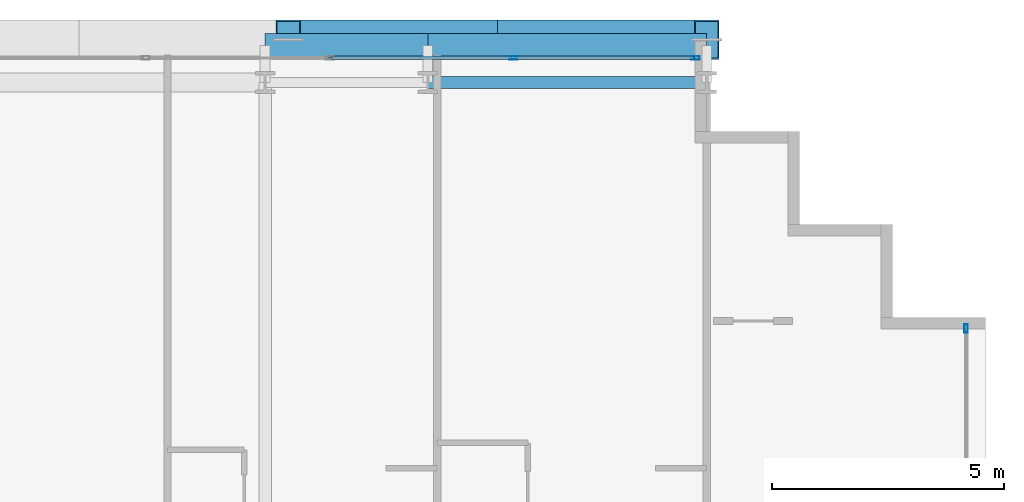
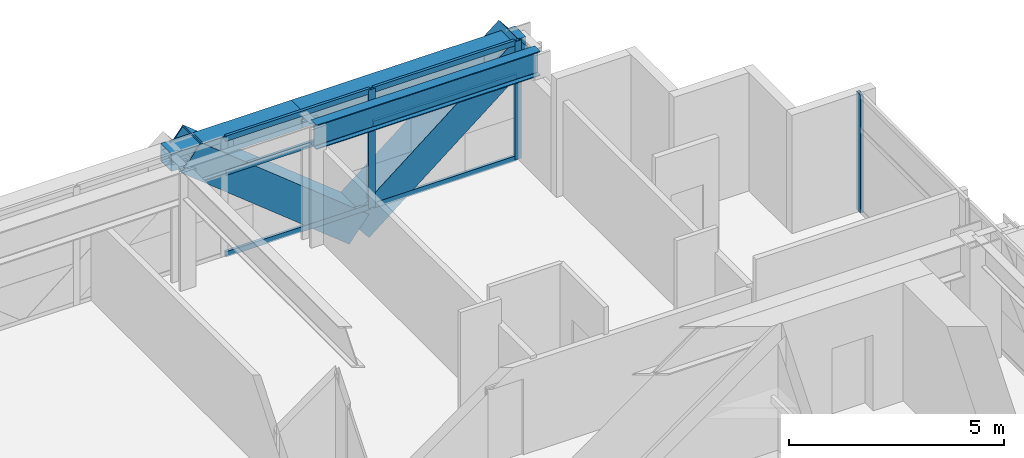
# One storey, part 25 of 41: 11 members, 3 beams, 2 elements without a shape of their own.
"""IFC4 building model written with IfcOpenShell, lengths in metres."""

from ifc_helpers import new_model, si_unit, direction, frame, origin, origin_2d, place, context, subcontext, project, spatial, hollow_rectangle, i_section, extrude, source, transform, mapped, material, layer, layer_set, material_profile, profile_set, type_object, element, aggregate, save


model = new_model("IFC4")

# Units and contexts
model_context = context("Model", 3, precision=1e-05, world=origin(), true_north=direction((0.0, 1.0)))
body_context = subcontext(model_context, "Body", "Model", "MODEL_VIEW")
ifc_project = project(units=[si_unit("LENGTHUNIT", "METRE"), si_unit("AREAUNIT", "SQUARE_METRE"), si_unit("VOLUMEUNIT", "CUBIC_METRE"), si_unit("PLANEANGLEUNIT", "RADIAN"), si_unit("MASSUNIT", "GRAM", prefix="KILO")], contexts=[model_context])

# Site, building, storey
site_placement = place(None, origin())
site = spatial("IfcSite", under=ifc_project, at=site_placement, CompositionType="ELEMENT")
building_placement = place(site_placement, origin())
building = spatial("IfcBuilding", under=site, at=building_placement, Name="Ocotamira Hotel", CompositionType="ELEMENT")
storey_placement = place(building_placement, frame((0.0, 0.0, 52.800048828125)))
storey = spatial("IfcBuildingStorey", under=building, at=storey_placement, Name="L12", CompositionType="ELEMENT", Elevation=52.800048828125)

# Beams
ifc_material_1 = material(Name="Steel ASTM A992 Grade 50", Category="steel")
ifc_material_profile_1 = material_profile(ifc_material_1, i_section(OverallWidth=0.256103515625, OverallDepth=0.693115234375, WebThickness=0.014404296875, FlangeThickness=0.023681640625, FilletRadius=0.01611328125, at=origin_2d()), Name="W27X114")
ifc_profile_set_1 = profile_set([ifc_material_profile_1], Name="Steel ASTM A992 Grade 50")
beam_type_1 = type_object("IfcBeamType", Name="BM-PRIM-W27X114", PredefinedType="BEAM", material=ifc_profile_set_1)
shared_shape_1 = source(origin(), body_context, "Body", "SweptSolid", [
    extrude(i_section(OverallWidth=0.256103515625, OverallDepth=0.693115234375, WebThickness=0.014404296875, FlangeThickness=0.023681640625, FilletRadius=0.01611328125, at=origin_2d()), origin(), (0.0, 0.0, 1.0), 6.0),
])
beam_1_placement = place(storey_placement, frame((44.0, 49.050048828125, 3.00341796875), z_axis=(1.0, 0.0, 0.0), x_axis=(0.0, 1.0, 0.0)))
element("IfcBeam", 1, at=beam_1_placement, inside=storey, type_object=beam_type_1, Name="L12 Girder Y49.05 X44-50", PredefinedType="BEAM", context=body_context, shape_type="MappedRepresentation", body=[
    mapped(shared_shape_1, transform((0.0, 0.0, 0.0), scale=1.0)),
])
ifc_material_2 = material(Name="Steel ASTM A500 Grade C", Category="steel")
ifc_material_profile_2 = material_profile(ifc_material_2, hollow_rectangle(XDim=0.5, YDim=0.5, WallThickness=0.02001953125, at=origin_2d()), Name="HSS500X500X20")
ifc_profile_set_2 = profile_set([ifc_material_profile_2], Name="Steel ASTM A500 Grade C")
beam_type_2 = type_object("IfcBeamType", Name="BM-SPAN-HSS500", PredefinedType="USERDEFINED", material=ifc_profile_set_2)
shared_shape_2 = source(origin(), body_context, "Body", "SweptSolid", [
    extrude(hollow_rectangle(XDim=0.5, YDim=0.5, WallThickness=0.02001953125, at=origin_2d()), origin(), (0.0, 0.0, 1.0), 6.0),
])
beam_2_placement = place(storey_placement, frame((44.0, 49.85009765625, 3.099853515625), z_axis=(1.0, 0.0, 0.0), x_axis=(0.0, 1.0, 0.0)))
element("IfcBeam", 2, at=beam_2_placement, inside=storey, type_object=beam_type_2, Name="L12 Edge Spandrel N X44-50", ObjectType="SPANDREL", PredefinedType="USERDEFINED", context=body_context, shape_type="MappedRepresentation", body=[
    mapped(shared_shape_2, transform((0.0, 0.0, 0.0), scale=1.0)),
])
shared_shape_3 = source(origin(), body_context, "Body", "SweptSolid", [
    extrude(hollow_rectangle(XDim=0.5, YDim=0.5, WallThickness=0.02001953125, at=origin_2d()), origin(), (0.0, 0.0, 1.0), 3.5),
])
beam_3_placement = place(storey_placement, frame((40.5, 49.85009765625, 3.099853515625), z_axis=(1.0, 0.0, 0.0), x_axis=(0.0, 1.0, 0.0)))
element("IfcBeam", 3, at=beam_3_placement, inside=storey, type_object=beam_type_2, Name="L12 Edge Spandrel N X40.5-44", ObjectType="SPANDREL", PredefinedType="USERDEFINED", context=body_context, shape_type="MappedRepresentation", body=[
    mapped(shared_shape_3, transform((0.0, 0.0, 0.0), scale=1.0)),
])

# Members
ifc_material_3 = material(Name="Pale-metal coated steel ASTM A913 Grade 65", Category="steel")
ifc_material_profile_3 = material_profile(ifc_material_3, hollow_rectangle(XDim=0.85009765625, YDim=0.85009765625, WallThickness=0.035888671875, at=origin_2d()), Name="BOX850X850X36")
ifc_profile_set_3 = profile_set([ifc_material_profile_3], Name="Pale-metal coated steel ASTM A913 Grade 65")
member_type_1 = type_object("IfcMemberType", Name="MEM-EXO-BOX850", PredefinedType="BRACE", material=ifc_profile_set_3)
shared_shape_4 = source(origin(), body_context, "Body", "SweptSolid", [
    extrude(hollow_rectangle(XDim=0.85009765625, YDim=0.85009765625, WallThickness=0.035888671875, at=origin_2d()), origin(), (0.0, 0.0, 1.0), 5.7626953125),
])
for number, where, z_axis, x_axis, name in (
    (4, (45.5, 49.969970703125, -0.5), (-0.780881208953, 0.0, 0.624679547852), (0.0, -1.0, 0.0), "L12 Exoskeleton Diagrid N3.1"),
    (5, (45.5, 49.969970703125, -0.5), (0.780881208953, 0.0, 0.624679547852), (0.0, 1.0, 0.0), "L12 Exoskeleton Diagrid N3.2"),
):
    element("IfcMember", number, at=place(storey_placement, frame(where, z_axis=z_axis, x_axis=x_axis)), inside=storey, type_object=member_type_1, Name=name, PredefinedType="BRACE", context=body_context, shape_type="MappedRepresentation", body=[
        mapped(shared_shape_4, transform((0.0, 0.0, 0.0), scale=1.0)),
    ])

# Curtain wall, members
ifc_material_4 = material(Name="Anodised pale-metal aluminium and solar glass", Category="aluminium")
ifc_layer = layer(ifc_material_4, 0.179931640625)
ifc_layer_set = layer_set([ifc_layer], Name="Anodised pale-metal aluminium and solar glass")
curtain_wall_type = type_object("IfcCurtainWallType", Name="CW-SYS2-Z1", PredefinedType="NOTDEFINED", material=ifc_layer_set)
curtain_wall_1_placement = place(storey_placement, origin())
curtain_wall_1 = element("IfcCurtainWall", 6, at=curtain_wall_1_placement, inside=storey, type_object=curtain_wall_type, Name="L12 Curtain Wall CW-2 CW-L12-N", PredefinedType="NOTDEFINED")
ifc_material_5 = material(Name="Anodised pale-metal aluminium 6063-T6", Category="aluminium")
ifc_material_profile_4 = material_profile(ifc_material_5, hollow_rectangle(XDim=0.080078125, YDim=0.179931640625, WallThickness=0.006103515625, at=origin_2d()), Name="HSS180X80X6")
ifc_profile_set_4 = profile_set([ifc_material_profile_4], Name="Anodised pale-metal aluminium 6063-T6")
member_type_2 = type_object("IfcMemberType", Name="CWM-180X75", PredefinedType="MULLION", material=ifc_profile_set_4)
shared_shape_5 = source(origin(), body_context, "Body", "SweptSolid", [
    extrude(hollow_rectangle(XDim=0.080078125, YDim=0.179931640625, WallThickness=0.006103515625, at=origin_2d()), origin(), (0.0, 0.0, 1.0), 3.349853515625),
])
member_1_placement = place(storey_placement, frame((45.844482421875, 49.580078125, 0.0), z_axis=(0.0, 0.0, 1.0), x_axis=(0.0, 1.0, 0.0)))
member_1 = element("IfcMember", 7, at=member_1_placement, type_object=member_type_2, Name="CW-2 mullion 9", PredefinedType="MULLION", context=body_context, shape_type="MappedRepresentation", body=[
    mapped(shared_shape_5, transform((0.0, 0.0, 0.0), scale=1.0)),
])
member_2_placement = place(storey_placement, frame((49.760009765625, 49.580078125, 0.0), z_axis=(0.0, 0.0, 1.0), x_axis=(0.0, 1.0, 0.0)))
member_2 = element("IfcMember", 8, at=member_2_placement, type_object=member_type_2, Name="CW-2 mullion 10", PredefinedType="MULLION", context=body_context, shape_type="MappedRepresentation", body=[
    mapped(shared_shape_5, transform((0.0, 0.0, 0.0), scale=1.0)),
])

# Curtain wall, member
curtain_wall_2_placement = place(storey_placement, origin())
curtain_wall_2 = element("IfcCurtainWall", 9, at=curtain_wall_2_placement, inside=storey, type_object=curtain_wall_type, Name="L12 Curtain Wall CW-2 CW-L12-E", PredefinedType="NOTDEFINED")
member_3_placement = place(storey_placement, frame((55.580078125, 43.760009765625, 0.0), z_axis=(0.0, 0.0, 1.0), x_axis=(-1.0, 0.0, 0.0)))
member_3 = element("IfcMember", 10, at=member_3_placement, type_object=member_type_2, Name="CW-2 mullion 8", PredefinedType="MULLION", context=body_context, shape_type="MappedRepresentation", body=[
    mapped(shared_shape_5, transform((0.0, 0.0, 0.0), scale=1.0)),
])
aggregate(curtain_wall_2, [member_3])

# Member
ifc_material_profile_5 = material_profile(ifc_material_5, hollow_rectangle(XDim=0.074951171875, YDim=0.14990234375, WallThickness=0.006103515625, at=origin_2d()), Name="HSS150X75X6")
ifc_profile_set_5 = profile_set([ifc_material_profile_5], Name="Anodised pale-metal aluminium 6063-T6")
member_type_3 = type_object("IfcMemberType", Name="CWT-150X75", PredefinedType="USERDEFINED", material=ifc_profile_set_5)
shared_shape_6 = source(origin(), body_context, "Body", "SweptSolid", [
    extrude(hollow_rectangle(XDim=0.074951171875, YDim=0.14990234375, WallThickness=0.006103515625, at=origin_2d()), origin(), (0.0, 0.0, 1.0), 3.83544921875),
])
member_4_placement = place(storey_placement, frame((45.884521484375, 49.580078125, 0.037353515625), z_axis=(1.0, 0.0, 0.0), x_axis=(0.0, 1.0, 0.0)))
member_4 = element("IfcMember", 11, at=member_4_placement, type_object=member_type_3, Name="CW-2 transom 9.1", ObjectType="TRANSOM", PredefinedType="USERDEFINED", context=body_context, shape_type="MappedRepresentation", body=[
    mapped(shared_shape_6, transform((0.0, 0.0, 0.0), scale=1.0)),
])

member_5_placement = place(storey_placement, frame((45.884521484375, 49.580078125, 2.349853515625), z_axis=(1.0, 0.0, 0.0), x_axis=(0.0, 1.0, 0.0)))
member_5 = element("IfcMember", 12, at=member_5_placement, type_object=member_type_3, Name="CW-2 transom 9.2", ObjectType="TRANSOM", PredefinedType="USERDEFINED", context=body_context, shape_type="MappedRepresentation", body=[
    mapped(shared_shape_6, transform((0.0, 0.0, 0.0), scale=1.0)),
])

member_6_placement = place(storey_placement, frame((45.884521484375, 49.580078125, 3.3125), z_axis=(1.0, 0.0, 0.0), x_axis=(0.0, 1.0, 0.0)))
member_6 = element("IfcMember", 13, at=member_6_placement, type_object=member_type_3, Name="CW-2 transom 9.3", ObjectType="TRANSOM", PredefinedType="USERDEFINED", context=body_context, shape_type="MappedRepresentation", body=[
    mapped(shared_shape_6, transform((0.0, 0.0, 0.0), scale=1.0)),
])

shared_shape_7 = source(origin(), body_context, "Body", "SweptSolid", [
    extrude(hollow_rectangle(XDim=0.074951171875, YDim=0.14990234375, WallThickness=0.006103515625, at=origin_2d()), origin(), (0.0, 0.0, 1.0), 3.87548828125),
])
member_7_placement = place(storey_placement, frame((41.928955078125, 49.580078125, 0.037353515625), z_axis=(1.0, 0.0, 0.0), x_axis=(0.0, 1.0, 0.0)))
member_7 = element("IfcMember", 14, at=member_7_placement, type_object=member_type_3, Name="CW-2 transom 8.1", ObjectType="TRANSOM", PredefinedType="USERDEFINED", context=body_context, shape_type="MappedRepresentation", body=[
    mapped(shared_shape_7, transform((0.0, 0.0, 0.0), scale=1.0)),
])

member_8_placement = place(storey_placement, frame((41.928955078125, 49.580078125, 2.349853515625), z_axis=(1.0, 0.0, 0.0), x_axis=(0.0, 1.0, 0.0)))
member_8 = element("IfcMember", 15, at=member_8_placement, type_object=member_type_3, Name="CW-2 transom 8.2", ObjectType="TRANSOM", PredefinedType="USERDEFINED", context=body_context, shape_type="MappedRepresentation", body=[
    mapped(shared_shape_7, transform((0.0, 0.0, 0.0), scale=1.0)),
])

member_9_placement = place(storey_placement, frame((41.928955078125, 49.580078125, 3.3125), z_axis=(1.0, 0.0, 0.0), x_axis=(0.0, 1.0, 0.0)))
member_9 = element("IfcMember", 16, at=member_9_placement, type_object=member_type_3, Name="CW-2 transom 8.3", ObjectType="TRANSOM", PredefinedType="USERDEFINED", context=body_context, shape_type="MappedRepresentation", body=[
    mapped(shared_shape_7, transform((0.0, 0.0, 0.0), scale=1.0)),
])

aggregate(curtain_wall_1, [member_1, member_2, member_7, member_8, member_9, member_4, member_5, member_6])

save(model, "model.ifc")
